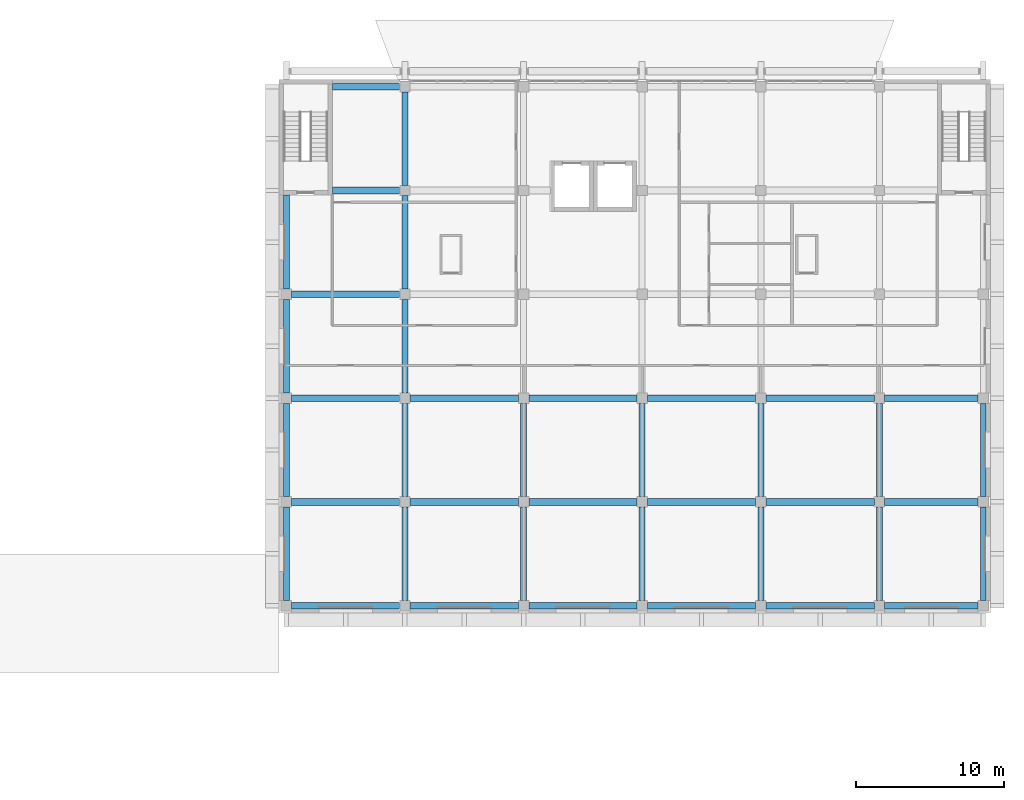
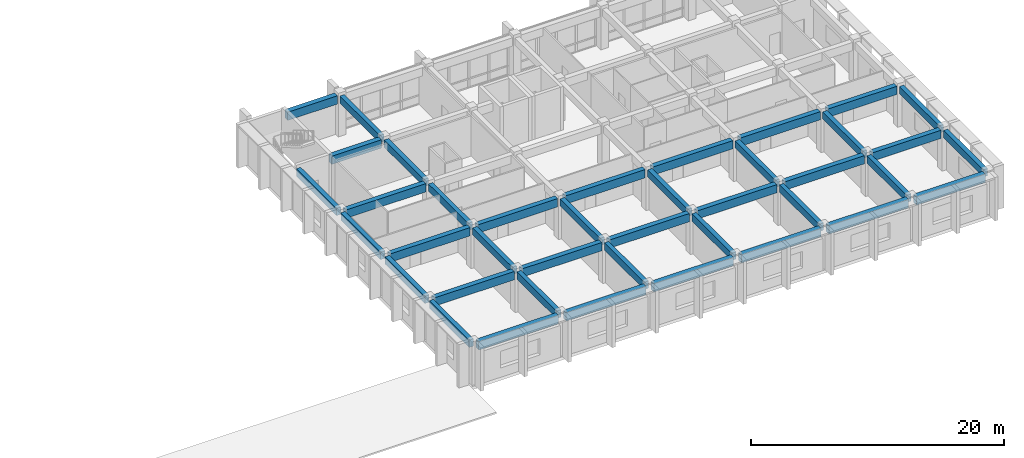
# One storey, part 15 of 45: 40 beams.
"""IFC4 building model written with IfcOpenShell, lengths in metres."""

from ifc_helpers import new_model, si_unit, direction, frame, origin, origin_2d, place, context, subcontext, project, spatial, rectangle, extrude, material, material_profile, profile_set, type_object, element, save


model = new_model("IFC4")

# Units and contexts
model_context = context("Model", 3, precision=1e-05, world=origin(), true_north=direction((0.0, 1.0)))
body_context = subcontext(model_context, "Body", "Model", "MODEL_VIEW")
ifc_project = project(units=[si_unit("LENGTHUNIT", "METRE"), si_unit("AREAUNIT", "SQUARE_METRE"), si_unit("VOLUMEUNIT", "CUBIC_METRE"), si_unit("PLANEANGLEUNIT", "RADIAN"), si_unit("MASSUNIT", "GRAM", prefix="KILO")], contexts=[model_context])

# Site, building, storey
site_placement = place(None, origin())
site = spatial("IfcSite", under=ifc_project, at=site_placement, CompositionType="ELEMENT")
building_placement = place(site_placement, origin())
building = spatial("IfcBuilding", under=site, at=building_placement, Name="Elmora Arch Market Hall", CompositionType="ELEMENT")
storey_placement = place(building_placement, frame((0.0, 0.0, 6.0)))
storey = spatial("IfcBuildingStorey", under=building, at=storey_placement, Name="L01", CompositionType="ELEMENT", Elevation=6.0)

# Beams
ifc_material_1 = material(Name="Concrete C32/40", Category="concrete")
ifc_material_profile_1 = material_profile(ifc_material_1, rectangle(XDim=0.39990234375, YDim=0.699951171875, at=origin_2d()), Name="School beam 400x700")
ifc_profile_set_1 = profile_set([ifc_material_profile_1], Name="Concrete C32/40")
beam_type_1 = type_object("IfcBeamType", Name="School beam 400x700", PredefinedType="BEAM", material=ifc_profile_set_1)
for number, where, z_axis, x_axis, name in (
    (1, (86.5, 130.85009765625, 3.550048828125), (0.0, 1.0, 0.0), (-1.0, 0.0, 0.0), "School beam SY1 L01.1"),
    (2, (86.5, 137.85009765625, 3.550048828125), (0.0, 1.0, 0.0), (-1.0, 0.0, 0.0), "School beam SY1 L01.2"),
    (3, (86.5, 144.85009765625, 3.550048828125), (0.0, 1.0, 0.0), (-1.0, 0.0, 0.0), "School beam SY1 L01.3"),
):
    element("IfcBeam", number, at=place(storey_placement, frame(where, z_axis=z_axis, x_axis=x_axis)), inside=storey, type_object=beam_type_1, Name=name, PredefinedType="BEAM", context=body_context, shape_type="SweptSolid", body=[
        extrude(rectangle(XDim=0.39990234375, YDim=0.699951171875, at=origin_2d()), origin(), (0.0, 0.0, 1.0), 6.2998046875),
    ])
beam_1_placement = place(storey_placement, frame((86.5, 151.85009765625, 3.550048828125), z_axis=(0.0, 1.0, 0.0), x_axis=(-1.0, 0.0, 0.0)))
element("IfcBeam", 4, at=beam_1_placement, inside=storey, type_object=beam_type_1, Name="School beam SY1 L01.4", PredefinedType="BEAM", context=body_context, shape_type="SweptSolid", body=[
    extrude(rectangle(XDim=0.39990234375, YDim=0.699951171875, at=origin_2d()), origin(), (0.0, 0.0, 1.0), 6.349853515625),
])
for number, where, z_axis, x_axis, name in (
    (5, (94.5, 130.85009765625, 3.550048828125), (0.0, 1.0, 0.0), (-1.0, 0.0, 0.0), "School beam SY2 L01.1"),
    (6, (94.5, 137.85009765625, 3.550048828125), (0.0, 1.0, 0.0), (-1.0, 0.0, 0.0), "School beam SY2 L01.2"),
    (7, (94.5, 144.85009765625, 3.550048828125), (0.0, 1.0, 0.0), (-1.0, 0.0, 0.0), "School beam SY2 L01.3"),
    (8, (94.5, 151.85009765625, 3.550048828125), (0.0, 1.0, 0.0), (-1.0, 0.0, 0.0), "School beam SY2 L01.4"),
    (9, (94.5, 158.85009765625, 3.550048828125), (0.0, 1.0, 0.0), (-1.0, 0.0, 0.0), "School beam SY2 L01.5"),
    (10, (102.5, 130.85009765625, 3.550048828125), (0.0, 1.0, 0.0), (-1.0, 0.0, 0.0), "School beam SY3 L01.1"),
    (11, (102.5, 137.85009765625, 3.550048828125), (0.0, 1.0, 0.0), (-1.0, 0.0, 0.0), "School beam SY3 L01.2"),
    (12, (110.5, 130.85009765625, 3.550048828125), (0.0, 1.0, 0.0), (-1.0, 0.0, 0.0), "School beam SY4 L01.1"),
    (13, (110.5, 137.85009765625, 3.550048828125), (0.0, 1.0, 0.0), (-1.0, 0.0, 0.0), "School beam SY4 L01.2"),
    (14, (118.5, 130.85009765625, 3.550048828125), (0.0, 1.0, 0.0), (-1.0, 0.0, 0.0), "School beam SY5 L01.1"),
    (15, (118.5, 137.85009765625, 3.550048828125), (0.0, 1.0, 0.0), (-1.0, 0.0, 0.0), "School beam SY5 L01.2"),
    (16, (126.5, 130.85009765625, 3.550048828125), (0.0, 1.0, 0.0), (-1.0, 0.0, 0.0), "School beam SY6 L01.1"),
    (17, (126.5, 137.85009765625, 3.550048828125), (0.0, 1.0, 0.0), (-1.0, 0.0, 0.0), "School beam SY6 L01.2"),
    (18, (133.5, 130.85009765625, 3.550048828125), (0.0, 1.0, 0.0), (-1.0, 0.0, 0.0), "School beam SY7 L01.1"),
    (19, (133.5, 137.85009765625, 3.550048828125), (0.0, 1.0, 0.0), (-1.0, 0.0, 0.0), "School beam SY7 L01.2"),
):
    element("IfcBeam", number, at=place(storey_placement, frame(where, z_axis=z_axis, x_axis=x_axis)), inside=storey, type_object=beam_type_1, Name=name, PredefinedType="BEAM", context=body_context, shape_type="SweptSolid", body=[
        extrude(rectangle(XDim=0.39990234375, YDim=0.699951171875, at=origin_2d()), origin(), (0.0, 0.0, 1.0), 6.2998046875),
    ])
ifc_material_2 = material(Name="Concrete C32/40", Category="concrete")
ifc_material_profile_2 = material_profile(ifc_material_2, rectangle(XDim=0.449951171875, YDim=0.800048828125, at=origin_2d()), Name="School girder 450x800")
ifc_profile_set_2 = profile_set([ifc_material_profile_2], Name="Concrete C32/40")
beam_type_2 = type_object("IfcBeamType", Name="School girder 450x800", PredefinedType="BEAM", material=ifc_profile_set_2)
for number, where, z_axis, x_axis, name in (
    (20, (86.85009765625, 130.5, 3.5), (1.0, 0.0, 0.0), (0.0, 1.0, 0.0), "School girder SX1 L01.1"),
    (21, (94.85009765625, 130.5, 3.5), (1.0, 0.0, 0.0), (0.0, 1.0, 0.0), "School girder SX1 L01.2"),
    (22, (102.85009765625, 130.5, 3.5), (1.0, 0.0, 0.0), (0.0, 1.0, 0.0), "School girder SX1 L01.3"),
    (23, (110.85009765625, 130.5, 3.5), (1.0, 0.0, 0.0), (0.0, 1.0, 0.0), "School girder SX1 L01.4"),
    (24, (118.85009765625, 130.5, 3.5), (1.0, 0.0, 0.0), (0.0, 1.0, 0.0), "School girder SX1 L01.5"),
):
    element("IfcBeam", number, at=place(storey_placement, frame(where, z_axis=z_axis, x_axis=x_axis)), inside=storey, type_object=beam_type_2, Name=name, PredefinedType="BEAM", context=body_context, shape_type="SweptSolid", body=[
        extrude(rectangle(XDim=0.449951171875, YDim=0.800048828125, at=origin_2d()), origin(), (0.0, 0.0, 1.0), 7.2998046875),
    ])
beam_2_placement = place(storey_placement, frame((126.85009765625, 130.5, 3.5), z_axis=(1.0, 0.0, 0.0), x_axis=(0.0, 1.0, 0.0)))
element("IfcBeam", 25, at=beam_2_placement, inside=storey, type_object=beam_type_2, Name="School girder SX1 L01.6", PredefinedType="BEAM", context=body_context, shape_type="SweptSolid", body=[
    extrude(rectangle(XDim=0.449951171875, YDim=0.800048828125, at=origin_2d()), origin(), (0.0, 0.0, 1.0), 6.2998046875),
])
for number, where, z_axis, x_axis, name in (
    (26, (86.85009765625, 137.5, 3.5), (1.0, 0.0, 0.0), (0.0, 1.0, 0.0), "School girder SX2 L01.1"),
    (27, (94.85009765625, 137.5, 3.5), (1.0, 0.0, 0.0), (0.0, 1.0, 0.0), "School girder SX2 L01.2"),
    (28, (102.85009765625, 137.5, 3.5), (1.0, 0.0, 0.0), (0.0, 1.0, 0.0), "School girder SX2 L01.3"),
    (29, (110.85009765625, 137.5, 3.5), (1.0, 0.0, 0.0), (0.0, 1.0, 0.0), "School girder SX2 L01.4"),
    (30, (118.85009765625, 137.5, 3.5), (1.0, 0.0, 0.0), (0.0, 1.0, 0.0), "School girder SX2 L01.5"),
):
    element("IfcBeam", number, at=place(storey_placement, frame(where, z_axis=z_axis, x_axis=x_axis)), inside=storey, type_object=beam_type_2, Name=name, PredefinedType="BEAM", context=body_context, shape_type="SweptSolid", body=[
        extrude(rectangle(XDim=0.449951171875, YDim=0.800048828125, at=origin_2d()), origin(), (0.0, 0.0, 1.0), 7.2998046875),
    ])
beam_3_placement = place(storey_placement, frame((126.85009765625, 137.5, 3.5), z_axis=(1.0, 0.0, 0.0), x_axis=(0.0, 1.0, 0.0)))
element("IfcBeam", 31, at=beam_3_placement, inside=storey, type_object=beam_type_2, Name="School girder SX2 L01.6", PredefinedType="BEAM", context=body_context, shape_type="SweptSolid", body=[
    extrude(rectangle(XDim=0.449951171875, YDim=0.800048828125, at=origin_2d()), origin(), (0.0, 0.0, 1.0), 6.2998046875),
])
for number, where, z_axis, x_axis, name in (
    (32, (86.85009765625, 144.5, 3.5), (1.0, 0.0, 0.0), (0.0, 1.0, 0.0), "School girder SX3 L01.1"),
    (33, (94.85009765625, 144.5, 3.5), (1.0, 0.0, 0.0), (0.0, 1.0, 0.0), "School girder SX3 L01.2"),
    (34, (102.85009765625, 144.5, 3.5), (1.0, 0.0, 0.0), (0.0, 1.0, 0.0), "School girder SX3 L01.3"),
    (35, (110.85009765625, 144.5, 3.5), (1.0, 0.0, 0.0), (0.0, 1.0, 0.0), "School girder SX3 L01.4"),
    (36, (118.85009765625, 144.5, 3.5), (1.0, 0.0, 0.0), (0.0, 1.0, 0.0), "School girder SX3 L01.5"),
):
    element("IfcBeam", number, at=place(storey_placement, frame(where, z_axis=z_axis, x_axis=x_axis)), inside=storey, type_object=beam_type_2, Name=name, PredefinedType="BEAM", context=body_context, shape_type="SweptSolid", body=[
        extrude(rectangle(XDim=0.449951171875, YDim=0.800048828125, at=origin_2d()), origin(), (0.0, 0.0, 1.0), 7.2998046875),
    ])
beam_4_placement = place(storey_placement, frame((126.85009765625, 144.5, 3.5), z_axis=(1.0, 0.0, 0.0), x_axis=(0.0, 1.0, 0.0)))
element("IfcBeam", 37, at=beam_4_placement, inside=storey, type_object=beam_type_2, Name="School girder SX3 L01.6", PredefinedType="BEAM", context=body_context, shape_type="SweptSolid", body=[
    extrude(rectangle(XDim=0.449951171875, YDim=0.800048828125, at=origin_2d()), origin(), (0.0, 0.0, 1.0), 6.2998046875),
])
beam_5_placement = place(storey_placement, frame((86.85009765625, 151.5, 3.5), z_axis=(1.0, 0.0, 0.0), x_axis=(0.0, 1.0, 0.0)))
element("IfcBeam", 38, at=beam_5_placement, inside=storey, type_object=beam_type_2, Name="School girder SX4 L01.1", PredefinedType="BEAM", context=body_context, shape_type="SweptSolid", body=[
    extrude(rectangle(XDim=0.449951171875, YDim=0.800048828125, at=origin_2d()), origin(), (0.0, 0.0, 1.0), 7.2998046875),
])
for number, where, z_axis, x_axis, name in (
    (39, (89.60009765625, 158.5, 3.5), (1.0, 0.0, 0.0), (0.0, 1.0, 0.0), "School girder SX5 L01.1"),
    (40, (89.60009765625, 165.5, 3.5), (1.0, 0.0, 0.0), (0.0, 1.0, 0.0), "School girder SX6 L01.1"),
):
    element("IfcBeam", number, at=place(storey_placement, frame(where, z_axis=z_axis, x_axis=x_axis)), inside=storey, type_object=beam_type_2, Name=name, PredefinedType="BEAM", context=body_context, shape_type="SweptSolid", body=[
        extrude(rectangle(XDim=0.449951171875, YDim=0.800048828125, at=origin_2d()), origin(), (0.0, 0.0, 1.0), 4.5498046875),
    ])

save(model, "model.ifc")
